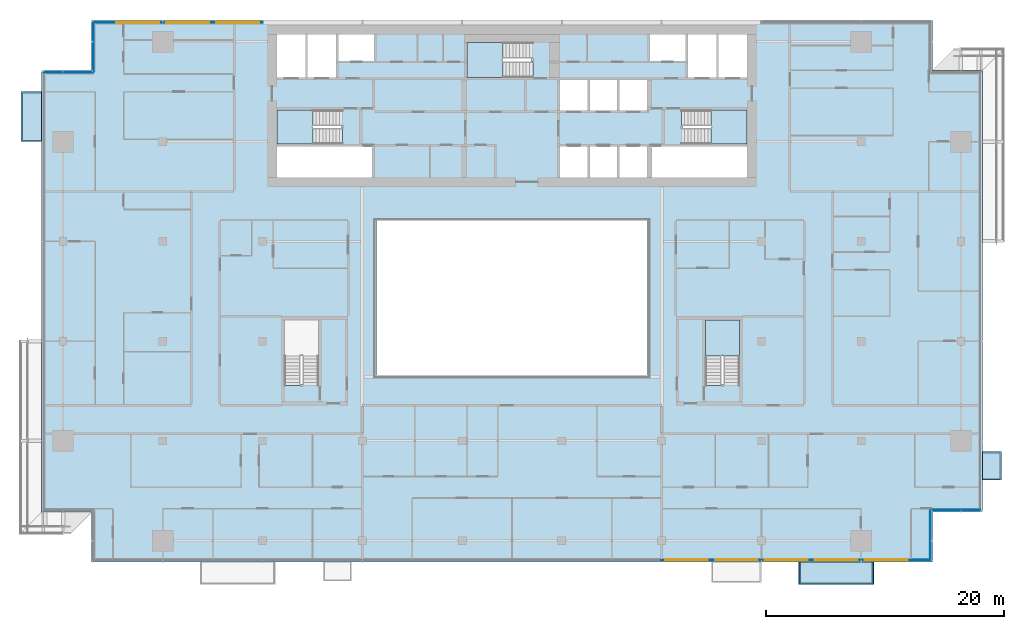
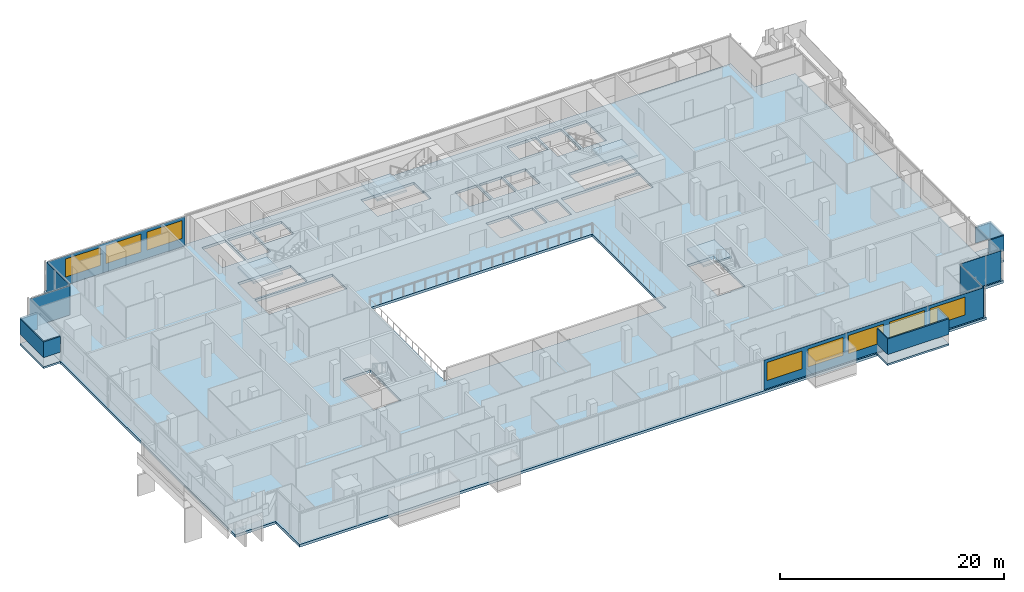
# One storey, part 16 of 30: 12 plates, 8 slabs, 8 windows, 8 openings, 10 elements without a shape of their own.
"""IFC4 building model written with IfcOpenShell, lengths in metres."""

from ifc_helpers import new_model, si_unit, direction, frame, frame_2d, origin, place, context, subcontext, project, spatial, polyline, rectangle, outline, extrude, material, layer, layer_set, type_object, element, fill, aggregate, save


model = new_model("IFC4")

# Units and contexts
model_context = context("Model", 3, precision=1e-05, world=origin(), true_north=direction((0.0, 1.0)))
body_context = subcontext(model_context, "Body", "Model", "MODEL_VIEW")
ifc_project = project(units=[si_unit("LENGTHUNIT", "METRE"), si_unit("AREAUNIT", "SQUARE_METRE"), si_unit("VOLUMEUNIT", "CUBIC_METRE"), si_unit("PLANEANGLEUNIT", "RADIAN"), si_unit("MASSUNIT", "GRAM", prefix="KILO")], contexts=[model_context])

# Site, building, storey
site_placement = place(None, origin())
site = spatial("IfcSite", under=ifc_project, at=site_placement, CompositionType="ELEMENT")
building_placement = place(site_placement, origin())
building = spatial("IfcBuilding", under=site, at=building_placement, Name="Saffron Gate Tower", CompositionType="ELEMENT")
storey_placement = place(building_placement, frame((0.0, 0.0, 165.449951171875)))
storey = spatial("IfcBuildingStorey", under=building, at=storey_placement, Name="L40", CompositionType="ELEMENT", Elevation=165.449951171875)

# Curtain wall, plate, openings, windows
ifc_material_1 = material(Name="Aluminium, bronze anodised", Category="aluminium")
curtain_wall_type_1 = type_object("IfcCurtainWallType", Name="CWS1 curtain wall front facade", PredefinedType="NOTDEFINED", material=ifc_material_1)
curtain_wall_1_placement = place(storey_placement, origin())
curtain_wall_1 = element("IfcCurtainWall", 1, at=curtain_wall_1_placement, inside=storey, type_object=curtain_wall_type_1, Name="CWS1 run 1", PredefinedType="NOTDEFINED")
ifc_material_2 = material(Name="Fritted bronze-tinted laminated glass", Category="glass")
ifc_layer_1 = layer(ifc_material_2, 0.028076171875)
ifc_layer_set_1 = layer_set([ifc_layer_1], Name="CWS1 fixed glass")
plate_type_1 = type_object("IfcPlateType", Name="CWS1 fixed glass", PredefinedType="CURTAIN_PANEL", material=ifc_layer_set_1)
plate_1_placement = place(storey_placement, frame((100.169921875, 30.174072265625, 0.0), z_axis=(0.0, 0.0, 1.0), x_axis=(1.0, 0.0, 0.0)))
plate_1 = element("IfcPlate", 2, at=plate_1_placement, type_object=plate_type_1, Name="CWS1 glass panel", PredefinedType="CURTAIN_PANEL", context=body_context, shape_type="SweptSolid", body=[
    extrude(rectangle(XDim=22.64208984375, YDim=0.028076171875, at=frame_2d((11.321044921875, 0.0))), origin(), (0.0, 0.0, 1.0), 3.199951171875),
])
opening_1_placement = place(plate_1_placement, frame((0.330078125, 0.0, 0.89990234375)))
opening_1 = element("IfcOpeningElement", 3, at=opening_1_placement, cuts=plate_1, Name="Opening W1", PredefinedType="OPENING", context=body_context, shape_type="SweptSolid", body=[
    extrude(rectangle(XDim=3.60009765625, YDim=1.949951171875, at=frame_2d((1.800048828125, 0.97509765625))), frame((0.0, 0.02392578125, 0.0), z_axis=(0.0, -1.0, 0.0), x_axis=(1.0, 0.0, 0.0)), (0.0, 0.0, 1.0), 0.048095703125),
])
opening_2_placement = place(plate_1_placement, frame((4.530029296875, 0.0, 0.89990234375)))
opening_2 = element("IfcOpeningElement", 4, at=opening_2_placement, cuts=plate_1, Name="Opening W1", PredefinedType="OPENING", context=body_context, shape_type="SweptSolid", body=[
    extrude(rectangle(XDim=3.60009765625, YDim=1.949951171875, at=frame_2d((1.800048828125, 0.97509765625))), frame((0.0, 0.02392578125, 0.0), z_axis=(0.0, -1.0, 0.0), x_axis=(1.0, 0.0, 0.0)), (0.0, 0.0, 1.0), 0.048095703125),
])
opening_3_placement = place(plate_1_placement, frame((8.72998046875, 0.0, 0.89990234375)))
opening_3 = element("IfcOpeningElement", 5, at=opening_3_placement, cuts=plate_1, Name="Opening W1", PredefinedType="OPENING", context=body_context, shape_type="SweptSolid", body=[
    extrude(rectangle(XDim=3.60009765625, YDim=1.949951171875, at=frame_2d((1.800048828125, 0.97509765625))), frame((0.0, 0.02392578125, 0.0), z_axis=(0.0, -1.0, 0.0), x_axis=(1.0, 0.0, 0.0)), (0.0, 0.0, 1.0), 0.048095703125),
])
opening_4_placement = place(plate_1_placement, frame((12.929931640625, 0.0, 0.89990234375)))
opening_4 = element("IfcOpeningElement", 6, at=opening_4_placement, cuts=plate_1, Name="Opening W1", PredefinedType="OPENING", context=body_context, shape_type="SweptSolid", body=[
    extrude(rectangle(XDim=3.60009765625, YDim=1.949951171875, at=frame_2d((1.800048828125, 0.97509765625))), frame((0.0, 0.02392578125, 0.0), z_axis=(0.0, -1.0, 0.0), x_axis=(1.0, 0.0, 0.0)), (0.0, 0.0, 1.0), 0.048095703125),
])
opening_5_placement = place(plate_1_placement, frame((17.1298828125, 0.0, 0.89990234375)))
opening_5 = element("IfcOpeningElement", 7, at=opening_5_placement, cuts=plate_1, Name="Opening W1", PredefinedType="OPENING", context=body_context, shape_type="SweptSolid", body=[
    extrude(rectangle(XDim=3.60009765625, YDim=1.949951171875, at=frame_2d((1.800048828125, 0.97509765625))), frame((0.0, 0.02392578125, 0.0), z_axis=(0.0, -1.0, 0.0), x_axis=(1.0, 0.0, 0.0)), (0.0, 0.0, 1.0), 0.048095703125),
])
ifc_material_3 = material(Name="Fritted bronze-tinted laminated glass in bronze frame", Category="glass")
ifc_layer_2 = layer(ifc_material_3, 0.06005859375)
ifc_layer_set_2 = layer_set([ifc_layer_2], Name="W1 operable panel 3600x1950")
window_type = type_object("IfcWindowType", Name="W1 operable panel 3600x1950", PartitioningType="DOUBLE_PANEL_HORIZONTAL", PredefinedType="WINDOW", material=ifc_layer_set_2)
window_1_placement = place(opening_1_placement, origin())
window_1 = element("IfcWindow", 8, at=window_1_placement, type_object=window_type, Name="W1 operable panel", OverallHeight=1.949951171875, OverallWidth=3.60009765625, PartitioningType="SINGLE_PANEL", PredefinedType="WINDOW", context=body_context, shape_type="SweptSolid", body=[
    extrude(rectangle(XDim=3.60009765625, YDim=1.949951171875, at=frame_2d((1.800048828125, 0.97509765625))), frame((0.0, 0.013671875, 0.0), z_axis=(0.0, -1.0, 0.0), x_axis=(1.0, 0.0, 0.0)), (0.0, 0.0, 1.0), 0.027587890625),
])
fill(opening_1, window_1)
window_2_placement = place(opening_2_placement, origin())
window_2 = element("IfcWindow", 9, at=window_2_placement, type_object=window_type, Name="W1 operable panel", OverallHeight=1.949951171875, OverallWidth=3.60009765625, PartitioningType="SINGLE_PANEL", PredefinedType="WINDOW", context=body_context, shape_type="SweptSolid", body=[
    extrude(rectangle(XDim=3.60009765625, YDim=1.949951171875, at=frame_2d((1.800048828125, 0.97509765625))), frame((0.0, 0.013671875, 0.0), z_axis=(0.0, -1.0, 0.0), x_axis=(1.0, 0.0, 0.0)), (0.0, 0.0, 1.0), 0.027587890625),
])
fill(opening_2, window_2)
window_3_placement = place(opening_3_placement, origin())
window_3 = element("IfcWindow", 10, at=window_3_placement, type_object=window_type, Name="W1 operable panel", OverallHeight=1.949951171875, OverallWidth=3.60009765625, PartitioningType="SINGLE_PANEL", PredefinedType="WINDOW", context=body_context, shape_type="SweptSolid", body=[
    extrude(rectangle(XDim=3.60009765625, YDim=1.949951171875, at=frame_2d((1.800048828125, 0.97509765625))), frame((0.0, 0.013671875, 0.0), z_axis=(0.0, -1.0, 0.0), x_axis=(1.0, 0.0, 0.0)), (0.0, 0.0, 1.0), 0.027587890625),
])
fill(opening_3, window_3)
window_4_placement = place(opening_4_placement, origin())
window_4 = element("IfcWindow", 11, at=window_4_placement, type_object=window_type, Name="W1 operable panel", OverallHeight=1.949951171875, OverallWidth=3.60009765625, PartitioningType="SINGLE_PANEL", PredefinedType="WINDOW", context=body_context, shape_type="SweptSolid", body=[
    extrude(rectangle(XDim=3.60009765625, YDim=1.949951171875, at=frame_2d((1.800048828125, 0.97509765625))), frame((0.0, 0.013671875, 0.0), z_axis=(0.0, -1.0, 0.0), x_axis=(1.0, 0.0, 0.0)), (0.0, 0.0, 1.0), 0.027587890625),
])
fill(opening_4, window_4)
window_5_placement = place(opening_5_placement, origin())
window_5 = element("IfcWindow", 12, at=window_5_placement, type_object=window_type, Name="W1 operable panel", OverallHeight=1.949951171875, OverallWidth=3.60009765625, PartitioningType="SINGLE_PANEL", PredefinedType="WINDOW", context=body_context, shape_type="SweptSolid", body=[
    extrude(rectangle(XDim=3.60009765625, YDim=1.949951171875, at=frame_2d((1.800048828125, 0.97509765625))), frame((0.0, 0.013671875, 0.0), z_axis=(0.0, -1.0, 0.0), x_axis=(1.0, 0.0, 0.0)), (0.0, 0.0, 1.0), 0.027587890625),
])
fill(opening_5, window_5)
aggregate(curtain_wall_1, [plate_1, window_1, window_2, window_3, window_4, window_5])

curtain_wall_type_2 = type_object("IfcCurtainWallType", Name="CWS3 curtain wall rear facade", PredefinedType="NOTDEFINED", material=ifc_material_1)
curtain_wall_2_placement = place(storey_placement, origin())
curtain_wall_2 = element("IfcCurtainWall", 13, at=curtain_wall_2_placement, inside=storey, type_object=curtain_wall_type_2, Name="CWS3 run 7", PredefinedType="NOTDEFINED")
ifc_material_4 = material(Name="Fritted grey-tinted laminated glass", Category="glass")
ifc_layer_3 = layer(ifc_material_4, 0.028076171875)
ifc_layer_set_3 = layer_set([ifc_layer_3], Name="CWS3 fixed glass")
plate_type_2 = type_object("IfcPlateType", Name="CWS3 fixed glass", PredefinedType="CURTAIN_PANEL", material=ifc_layer_set_3)
plate_2_placement = place(storey_placement, frame((66.635009765625, 75.426025390625, 0.0), z_axis=(0.0, 0.0, 1.0), x_axis=(-1.0, 0.0, 0.0)))
plate_2 = element("IfcPlate", 14, at=plate_2_placement, type_object=plate_type_2, Name="CWS3 glass panel", PredefinedType="CURTAIN_PANEL", context=body_context, shape_type="SweptSolid", body=[
    extrude(rectangle(XDim=14.2470703125, YDim=0.028076171875, at=frame_2d((7.12353515625, 0.0))), origin(), (0.0, 0.0, 1.0), 3.199951171875),
])
opening_6_placement = place(plate_2_placement, frame((0.3349609375, 0.0, 0.89990234375)))
opening_6 = element("IfcOpeningElement", 15, at=opening_6_placement, cuts=plate_2, Name="Opening W1", PredefinedType="OPENING", context=body_context, shape_type="SweptSolid", body=[
    extrude(rectangle(XDim=3.60009765625, YDim=1.949951171875, at=frame_2d((1.800048828125, 0.97509765625))), frame((0.0, 0.02392578125, 0.0), z_axis=(0.0, -1.0, 0.0), x_axis=(1.0, 0.0, 0.0)), (0.0, 0.0, 1.0), 0.048095703125),
])
opening_7_placement = place(plate_2_placement, frame((4.534912109375, 0.0, 0.89990234375)))
opening_7 = element("IfcOpeningElement", 16, at=opening_7_placement, cuts=plate_2, Name="Opening W1", PredefinedType="OPENING", context=body_context, shape_type="SweptSolid", body=[
    extrude(rectangle(XDim=3.60009765625, YDim=1.949951171875, at=frame_2d((1.800048828125, 0.97509765625))), frame((0.0, 0.02392578125, 0.0), z_axis=(0.0, -1.0, 0.0), x_axis=(1.0, 0.0, 0.0)), (0.0, 0.0, 1.0), 0.048095703125),
])
opening_8_placement = place(plate_2_placement, frame((8.735107421875, 0.0, 0.89990234375)))
opening_8 = element("IfcOpeningElement", 17, at=opening_8_placement, cuts=plate_2, Name="Opening W1", PredefinedType="OPENING", context=body_context, shape_type="SweptSolid", body=[
    extrude(rectangle(XDim=3.60009765625, YDim=1.949951171875, at=frame_2d((1.800048828125, 0.97509765625))), frame((0.0, 0.02392578125, 0.0), z_axis=(0.0, -1.0, 0.0), x_axis=(1.0, 0.0, 0.0)), (0.0, 0.0, 1.0), 0.048095703125),
])
window_6_placement = place(opening_6_placement, origin())
window_6 = element("IfcWindow", 18, at=window_6_placement, type_object=window_type, Name="W1 operable panel", OverallHeight=1.949951171875, OverallWidth=3.60009765625, PartitioningType="SINGLE_PANEL", PredefinedType="WINDOW", context=body_context, shape_type="SweptSolid", body=[
    extrude(rectangle(XDim=3.60009765625, YDim=1.949951171875, at=frame_2d((1.800048828125, 0.97509765625))), frame((0.0, 0.013671875, 0.0), z_axis=(0.0, -1.0, 0.0), x_axis=(1.0, 0.0, 0.0)), (0.0, 0.0, 1.0), 0.027587890625),
])
fill(opening_6, window_6)
window_7_placement = place(opening_7_placement, origin())
window_7 = element("IfcWindow", 19, at=window_7_placement, type_object=window_type, Name="W1 operable panel", OverallHeight=1.949951171875, OverallWidth=3.60009765625, PartitioningType="SINGLE_PANEL", PredefinedType="WINDOW", context=body_context, shape_type="SweptSolid", body=[
    extrude(rectangle(XDim=3.60009765625, YDim=1.949951171875, at=frame_2d((1.800048828125, 0.97509765625))), frame((0.0, 0.013671875, 0.0), z_axis=(0.0, -1.0, 0.0), x_axis=(1.0, 0.0, 0.0)), (0.0, 0.0, 1.0), 0.027587890625),
])
fill(opening_7, window_7)
window_8_placement = place(opening_8_placement, origin())
window_8 = element("IfcWindow", 20, at=window_8_placement, type_object=window_type, Name="W1 operable panel", OverallHeight=1.949951171875, OverallWidth=3.60009765625, PartitioningType="SINGLE_PANEL", PredefinedType="WINDOW", context=body_context, shape_type="SweptSolid", body=[
    extrude(rectangle(XDim=3.60009765625, YDim=1.949951171875, at=frame_2d((1.800048828125, 0.97509765625))), frame((0.0, 0.013671875, 0.0), z_axis=(0.0, -1.0, 0.0), x_axis=(1.0, 0.0, 0.0)), (0.0, 0.0, 1.0), 0.027587890625),
])
fill(opening_8, window_8)
aggregate(curtain_wall_2, [plate_2, window_6, window_7, window_8])

# Curtain wall, plate
curtain_wall_type_3 = type_object("IfcCurtainWallType", Name="CWS4 curtain wall corner returns", PredefinedType="NOTDEFINED", material=ifc_material_1)
curtain_wall_3_placement = place(storey_placement, origin())
curtain_wall_3 = element("IfcCurtainWall", 21, at=curtain_wall_3_placement, inside=storey, type_object=curtain_wall_type_3, Name="CWS4 run 2", PredefinedType="NOTDEFINED")
ifc_layer_4 = layer(ifc_material_2, 0.028076171875)
ifc_layer_set_4 = layer_set([ifc_layer_4], Name="CWS4 fixed glass")
plate_type_3 = type_object("IfcPlateType", Name="CWS4 fixed glass", PredefinedType="CURTAIN_PANEL", material=ifc_layer_set_4)
plate_3_placement = place(storey_placement, frame((122.825927734375, 30.18798828125, 0.0), z_axis=(0.0, 0.0, 1.0), x_axis=(0.0, 1.0, 0.0)))
plate_3 = element("IfcPlate", 22, at=plate_3_placement, type_object=plate_type_3, Name="CWS4 glass panel", PredefinedType="CURTAIN_PANEL", context=body_context, shape_type="SweptSolid", body=[
    extrude(rectangle(XDim=4.172119140625, YDim=0.028076171875, at=frame_2d((2.0859375, 0.0))), origin(), (0.0, 0.0, 1.0), 3.199951171875),
])
aggregate(curtain_wall_3, [plate_3])

curtain_wall_4_placement = place(storey_placement, origin())
curtain_wall_4 = element("IfcCurtainWall", 23, at=curtain_wall_4_placement, inside=storey, type_object=curtain_wall_type_3, Name="CWS4 run 3", PredefinedType="NOTDEFINED")
plate_4_placement = place(storey_placement, frame((122.840087890625, 34.3740234375, 0.0), z_axis=(0.0, 0.0, 1.0), x_axis=(1.0, 0.0, 0.0)))
plate_4 = element("IfcPlate", 24, at=plate_4_placement, type_object=plate_type_3, Name="CWS4 glass panel", PredefinedType="CURTAIN_PANEL", context=body_context, shape_type="SweptSolid", body=[
    extrude(rectangle(XDim=4.171875, YDim=0.028076171875, at=frame_2d((2.0859375, 0.0))), origin(), (0.0, 0.0, 1.0), 3.199951171875),
])
aggregate(curtain_wall_4, [plate_4])

curtain_wall_5_placement = place(storey_placement, origin())
curtain_wall_5 = element("IfcCurtainWall", 25, at=curtain_wall_5_placement, inside=storey, type_object=curtain_wall_type_3, Name="CWS4 run 8", PredefinedType="NOTDEFINED")
plate_5_placement = place(storey_placement, frame((52.3740234375, 75.412109375, 0.0), z_axis=(0.0, 0.0, 1.0), x_axis=(0.0, -1.0, 0.0)))
plate_5 = element("IfcPlate", 26, at=plate_5_placement, type_object=plate_type_3, Name="CWS4 glass panel", PredefinedType="CURTAIN_PANEL", context=body_context, shape_type="SweptSolid", body=[
    extrude(rectangle(XDim=4.172119140625, YDim=0.028076171875, at=frame_2d((2.0859375, 0.0))), origin(), (0.0, 0.0, 1.0), 3.199951171875),
])
aggregate(curtain_wall_5, [plate_5])

curtain_wall_6_placement = place(storey_placement, origin())
curtain_wall_6 = element("IfcCurtainWall", 27, at=curtain_wall_6_placement, inside=storey, type_object=curtain_wall_type_3, Name="CWS4 run 9", PredefinedType="NOTDEFINED")
plate_6_placement = place(storey_placement, frame((52.360107421875, 71.22607421875, 0.0), z_axis=(0.0, 0.0, 1.0), x_axis=(-1.0, 0.0, 0.0)))
plate_6 = element("IfcPlate", 28, at=plate_6_placement, type_object=plate_type_3, Name="CWS4 glass panel", PredefinedType="CURTAIN_PANEL", context=body_context, shape_type="SweptSolid", body=[
    extrude(rectangle(XDim=4.172119140625, YDim=0.028076171875, at=frame_2d((2.0859375, 0.0))), origin(), (0.0, 0.0, 1.0), 3.199951171875),
])
aggregate(curtain_wall_6, [plate_6])

# Slab
ifc_material_5 = material(Name="Concrete C40", Category="concrete")
ifc_layer_5 = layer(ifc_material_5, 0.280029296875)
ifc_layer_set_5 = layer_set([ifc_layer_5], Name="S2 FLOOR SLAB 280 CONCRETE C40")
slab_type_1 = type_object("IfcSlabType", Name="S2 FLOOR SLAB 280 CONCRETE C40", PredefinedType="FLOOR", material=ifc_layer_set_5)
slab_1_placement = place(storey_placement, frame((0.0, 0.0, -0.280029296875)))
element("IfcSlab", 29, at=slab_1_placement, inside=storey, type_object=slab_type_1, Name="S2 FLOOR SLAB", PredefinedType="FLOOR", context=body_context, shape_type="SweptSolid", body=[
    extrude(outline(polyline([(48.0, 34.199951171875), (52.199951171875, 34.199951171875), (52.199951171875, 30.0), (123.0, 30.0), (123.0, 34.199951171875), (127.199951171875, 34.199951171875), (127.199951171875, 71.39990234375), (123.0, 71.39990234375), (123.0, 75.60009765625), (52.199951171875, 75.60009765625), (52.199951171875, 71.39990234375), (48.0, 71.39990234375), (48.0, 34.199951171875)]), holes=[polyline([(67.800048828125, 62.39990234375), (67.800048828125, 65.0), (75.800048828125, 65.0), (75.800048828125, 62.39990234375), (67.800048828125, 62.39990234375)]), polyline([(67.800048828125, 65.199951171875), (67.800048828125, 68.050048828125), (73.25, 68.050048828125), (73.25, 66.550048828125), (73.34912109375, 66.550048828125), (73.34912109375, 65.199951171875), (67.800048828125, 65.199951171875)]), polyline([(67.800048828125, 70.800048828125), (67.800048828125, 74.39990234375), (70.199951171875, 74.39990234375), (70.199951171875, 70.800048828125), (67.800048828125, 70.800048828125)]), polyline([(68.449951171875, 44.85107421875), (68.449951171875, 50.39990234375), (71.300048828125, 50.39990234375), (71.300048828125, 44.949951171875), (69.800048828125, 44.949951171875), (69.800048828125, 44.85107421875), (68.449951171875, 44.85107421875)]), polyline([(70.39990234375, 70.800048828125), (70.39990234375, 74.39990234375), (72.800048828125, 74.39990234375), (72.800048828125, 70.800048828125), (70.39990234375, 70.800048828125)]), polyline([(73.0, 72.199951171875), (73.0, 74.39990234375), (76.0, 74.39990234375), (76.0, 72.199951171875), (73.0, 72.199951171875)]), polyline([(76.199951171875, 45.60009765625), (76.199951171875, 58.800048828125), (99.0, 58.800048828125), (99.0, 45.60009765625), (76.199951171875, 45.60009765625)]), polyline([(83.800048828125, 70.800048828125), (83.800048828125, 73.75), (89.25, 73.75), (89.25, 72.14990234375), (89.34912109375, 72.14990234375), (89.34912109375, 70.800048828125), (83.800048828125, 70.800048828125)]), polyline([(91.64990234375, 62.39990234375), (91.64990234375, 65.0), (93.949951171875, 65.0), (93.949951171875, 62.39990234375), (91.64990234375, 62.39990234375)]), polyline([(91.64990234375, 68.0), (91.64990234375, 70.60009765625), (93.949951171875, 70.60009765625), (93.949951171875, 68.0), (91.64990234375, 68.0)]), polyline([(94.14990234375, 62.39990234375), (94.14990234375, 65.0), (96.449951171875, 65.0), (96.449951171875, 62.39990234375), (94.14990234375, 62.39990234375)]), polyline([(94.14990234375, 68.0), (94.14990234375, 70.60009765625), (96.449951171875, 70.60009765625), (96.449951171875, 68.0), (94.14990234375, 68.0)]), polyline([(96.64990234375, 62.39990234375), (96.64990234375, 65.0), (98.949951171875, 65.0), (98.949951171875, 62.39990234375), (96.64990234375, 62.39990234375)]), polyline([(96.64990234375, 68.0), (96.64990234375, 70.60009765625), (98.949951171875, 70.60009765625), (98.949951171875, 68.0), (96.64990234375, 68.0)]), polyline([(99.199951171875, 72.199951171875), (99.199951171875, 74.39990234375), (102.199951171875, 74.39990234375), (102.199951171875, 72.199951171875), (99.199951171875, 72.199951171875)]), polyline([(99.39990234375, 62.39990234375), (99.39990234375, 65.0), (107.39990234375, 65.0), (107.39990234375, 62.39990234375), (99.39990234375, 62.39990234375)]), polyline([(101.85107421875, 66.699951171875), (101.85107421875, 68.050048828125), (107.39990234375, 68.050048828125), (107.39990234375, 65.199951171875), (101.949951171875, 65.199951171875), (101.949951171875, 66.699951171875), (101.85107421875, 66.699951171875)]), polyline([(102.39990234375, 70.800048828125), (102.39990234375, 74.39990234375), (104.800048828125, 74.39990234375), (104.800048828125, 70.800048828125), (102.39990234375, 70.800048828125)]), polyline([(103.89990234375, 44.85107421875), (103.89990234375, 50.39990234375), (106.75, 50.39990234375), (106.75, 44.949951171875), (105.25, 44.949951171875), (105.25, 44.85107421875), (103.89990234375, 44.85107421875)]), polyline([(105.0, 70.800048828125), (105.0, 74.39990234375), (107.39990234375, 74.39990234375), (107.39990234375, 70.800048828125), (105.0, 70.800048828125)])]), origin(), (0.0, 0.0, 1.0), 0.280029296875),
])

# Stair, slab
stair_type = type_object("IfcStairType", Name="ST7 Stair 1350 wide, 20 risers of 180", PredefinedType="HALF_TURN_STAIR", material=ifc_material_5)
stair_1_placement = place(storey_placement, origin())
stair_1 = element("IfcStair", 30, at=stair_1_placement, inside=storey, type_object=stair_type, Name="L40 Exit stair A", PredefinedType="HALF_TURN_STAIR")
ifc_layer_6 = layer(ifc_material_5, 0.199951171875)
ifc_layer_set_6 = layer_set([ifc_layer_6], Name="SL1 Stair landing 200")
slab_type_2 = type_object("IfcSlabType", Name="SL1 Stair landing 200", PredefinedType="LANDING", material=ifc_layer_set_6)
slab_2_placement = place(storey_placement, frame((0.0, 0.0, 1.60009765625)))
slab_2 = element("IfcSlab", 31, at=slab_2_placement, type_object=slab_type_2, Name="ST-A landing 1", PredefinedType="LANDING", context=body_context, shape_type="SweptSolid", body=[
    extrude(outline(polyline([(70.830078125, 68.050048828125), (67.800048828125, 68.050048828125), (67.800048828125, 65.199951171875), (70.830078125, 65.199951171875), (70.830078125, 68.050048828125)])), origin(), (0.0, 0.0, 1.0), 0.199951171875),
])
aggregate(stair_1, [slab_2])

stair_2_placement = place(storey_placement, origin())
stair_2 = element("IfcStair", 32, at=stair_2_placement, inside=storey, type_object=stair_type, Name="L40 Exit stair B", PredefinedType="HALF_TURN_STAIR")
slab_3_placement = place(storey_placement, frame((0.0, 0.0, 1.60009765625)))
slab_3 = element("IfcSlab", 33, at=slab_3_placement, type_object=slab_type_2, Name="ST-B landing 1", PredefinedType="LANDING", context=body_context, shape_type="SweptSolid", body=[
    extrude(outline(polyline([(104.3701171875, 65.199951171875), (107.39990234375, 65.199951171875), (107.39990234375, 68.050048828125), (104.3701171875, 68.050048828125), (104.3701171875, 65.199951171875)])), origin(), (0.0, 0.0, 1.0), 0.199951171875),
])
aggregate(stair_2, [slab_3])

stair_3_placement = place(storey_placement, origin())
stair_3 = element("IfcStair", 34, at=stair_3_placement, inside=storey, type_object=stair_type, Name="L40 Exit stair C", PredefinedType="HALF_TURN_STAIR")
slab_4_placement = place(storey_placement, frame((0.0, 0.0, 1.60009765625)))
slab_4 = element("IfcSlab", 35, at=slab_4_placement, type_object=slab_type_2, Name="ST-C landing 1", PredefinedType="LANDING", context=body_context, shape_type="SweptSolid", body=[
    extrude(outline(polyline([(86.830078125, 73.75), (83.800048828125, 73.75), (83.800048828125, 70.800048828125), (86.830078125, 70.800048828125), (86.830078125, 73.75)])), origin(), (0.0, 0.0, 1.0), 0.199951171875),
])
aggregate(stair_3, [slab_4])

stair_4_placement = place(storey_placement, origin())
stair_4 = element("IfcStair", 36, at=stair_4_placement, inside=storey, type_object=stair_type, Name="L40 Exit stair E", PredefinedType="HALF_TURN_STAIR")
slab_5_placement = place(storey_placement, frame((0.0, 0.0, 1.60009765625)))
slab_5 = element("IfcSlab", 37, at=slab_5_placement, type_object=slab_type_2, Name="ST-E landing 1", PredefinedType="LANDING", context=body_context, shape_type="SweptSolid", body=[
    extrude(outline(polyline([(106.75, 47.3701171875), (106.75, 50.39990234375), (103.89990234375, 50.39990234375), (103.89990234375, 47.3701171875), (106.75, 47.3701171875)])), origin(), (0.0, 0.0, 1.0), 0.199951171875),
])
aggregate(stair_4, [slab_5])

# Slabs
ifc_material_6 = material(Name="Timber deck on bronze frame", Category="wood")
ifc_layer_7 = layer(ifc_material_6, 0.199951171875)
ifc_layer_set_7 = layer_set([ifc_layer_7], Name="WB1 box floor")
slab_type_3 = type_object("IfcSlabType", Name="WB1 box floor", PredefinedType="FLOOR", material=ifc_layer_set_7)
slab_6_placement = place(storey_placement, frame((0.0, 0.0, -0.199951171875)))
element("IfcSlab", 38, at=slab_6_placement, inside=storey, type_object=slab_type_3, Name="WINDOW BOX floor", PredefinedType="FLOOR", context=body_context, shape_type="SweptSolid", body=[
    extrude(outline(polyline([(111.75, 30.0), (118.050048828125, 30.0), (118.050048828125, 28.133056640625), (111.75, 28.133056640625), (111.75, 30.0)])), origin(), (0.0, 0.0, 1.0), 0.199951171875),
])
slab_7_placement = place(storey_placement, frame((0.0, 0.0, -0.199951171875)))
element("IfcSlab", 39, at=slab_7_placement, inside=storey, type_object=slab_type_3, Name="WINDOW BOX floor", PredefinedType="FLOOR", context=body_context, shape_type="SweptSolid", body=[
    extrude(outline(polyline([(127.199951171875, 36.89990234375), (127.199951171875, 39.300048828125), (128.800048828125, 39.300048828125), (128.800048828125, 36.89990234375), (127.199951171875, 36.89990234375)])), origin(), (0.0, 0.0, 1.0), 0.199951171875),
])
slab_8_placement = place(storey_placement, frame((0.0, 0.0, -0.199951171875)))
element("IfcSlab", 40, at=slab_8_placement, inside=storey, type_object=slab_type_3, Name="WINDOW BOX floor", PredefinedType="FLOOR", context=body_context, shape_type="SweptSolid", body=[
    extrude(outline(polyline([(48.0, 69.60009765625), (48.0, 65.39990234375), (46.26708984375, 65.39990234375), (46.26708984375, 69.60009765625), (48.0, 69.60009765625)])), origin(), (0.0, 0.0, 1.0), 0.199951171875),
])

# Plates
ifc_layer_8 = layer(ifc_material_1, 0.1201171875)
ifc_layer_set_8 = layer_set([ifc_layer_8], Name="WB2 box roof")
plate_type_4 = type_object("IfcPlateType", Name="WB2 box roof", PredefinedType="SHEET", material=ifc_layer_set_8)
plate_7_placement = place(storey_placement, frame((0.0, 0.0, 2.699951171875)))
element("IfcPlate", 41, at=plate_7_placement, inside=storey, type_object=plate_type_4, Name="WINDOW BOX roof", PredefinedType="SHEET", context=body_context, shape_type="SweptSolid", body=[
    extrude(outline(polyline([(111.75, 30.0), (118.050048828125, 30.0), (118.050048828125, 28.133056640625), (111.75, 28.133056640625), (111.75, 30.0)])), origin(), (0.0, 0.0, 1.0), 0.1201171875),
])
plate_8_placement = place(storey_placement, frame((0.0, 0.0, 2.699951171875)))
element("IfcPlate", 42, at=plate_8_placement, inside=storey, type_object=plate_type_4, Name="WINDOW BOX roof", PredefinedType="SHEET", context=body_context, shape_type="SweptSolid", body=[
    extrude(outline(polyline([(127.199951171875, 36.89990234375), (127.199951171875, 39.300048828125), (128.800048828125, 39.300048828125), (128.800048828125, 36.89990234375), (127.199951171875, 36.89990234375)])), origin(), (0.0, 0.0, 1.0), 0.1201171875),
])
plate_9_placement = place(storey_placement, frame((0.0, 0.0, 2.699951171875)))
element("IfcPlate", 43, at=plate_9_placement, inside=storey, type_object=plate_type_4, Name="WINDOW BOX roof", PredefinedType="SHEET", context=body_context, shape_type="SweptSolid", body=[
    extrude(outline(polyline([(48.0, 69.60009765625), (48.0, 65.39990234375), (46.26708984375, 65.39990234375), (46.26708984375, 69.60009765625), (48.0, 69.60009765625)])), origin(), (0.0, 0.0, 1.0), 0.1201171875),
])
ifc_material_7 = material(Name="Clear low-iron laminated glass", Category="glass")
ifc_layer_9 = layer(ifc_material_7, 0.10009765625)
ifc_layer_set_9 = layer_set([ifc_layer_9], Name="WB6 box glazing")
plate_type_5 = type_object("IfcPlateType", Name="WB6 box glazing", PredefinedType="SHEET", material=ifc_layer_set_9)
plate_10_placement = place(storey_placement, frame((0.0, 0.0, 1.0)))
element("IfcPlate", 44, at=plate_10_placement, inside=storey, type_object=plate_type_5, Name="WINDOW BOX glazing", PredefinedType="SHEET", context=body_context, shape_type="SweptSolid", body=[
    extrude(outline(polyline([(111.75, 30.0), (111.85009765625, 30.0), (111.85009765625, 28.23291015625), (117.949951171875, 28.23291015625), (117.949951171875, 30.0), (118.050048828125, 30.0), (118.050048828125, 28.133056640625), (111.75, 28.133056640625), (111.75, 30.0)])), origin(), (0.0, 0.0, 1.0), 1.699951171875),
])
plate_11_placement = place(storey_placement, frame((0.0, 0.0, 1.0)))
element("IfcPlate", 45, at=plate_11_placement, inside=storey, type_object=plate_type_5, Name="WINDOW BOX glazing", PredefinedType="SHEET", context=body_context, shape_type="SweptSolid", body=[
    extrude(outline(polyline([(127.199951171875, 36.89990234375), (127.199951171875, 37.0), (128.699951171875, 37.0), (128.699951171875, 39.199951171875), (127.199951171875, 39.199951171875), (127.199951171875, 39.300048828125), (128.800048828125, 39.300048828125), (128.800048828125, 36.89990234375), (127.199951171875, 36.89990234375)])), origin(), (0.0, 0.0, 1.0), 1.699951171875),
])
plate_12_placement = place(storey_placement, frame((0.0, 0.0, 1.0)))
element("IfcPlate", 46, at=plate_12_placement, inside=storey, type_object=plate_type_5, Name="WINDOW BOX glazing", PredefinedType="SHEET", context=body_context, shape_type="SweptSolid", body=[
    extrude(outline(polyline([(48.0, 69.60009765625), (48.0, 69.5), (46.366943359375, 69.5), (46.366943359375, 65.5), (48.0, 65.5), (48.0, 65.39990234375), (46.26708984375, 65.39990234375), (46.26708984375, 69.60009765625), (48.0, 69.60009765625)])), origin(), (0.0, 0.0, 1.0), 1.699951171875),
])

save(model, "model.ifc")
